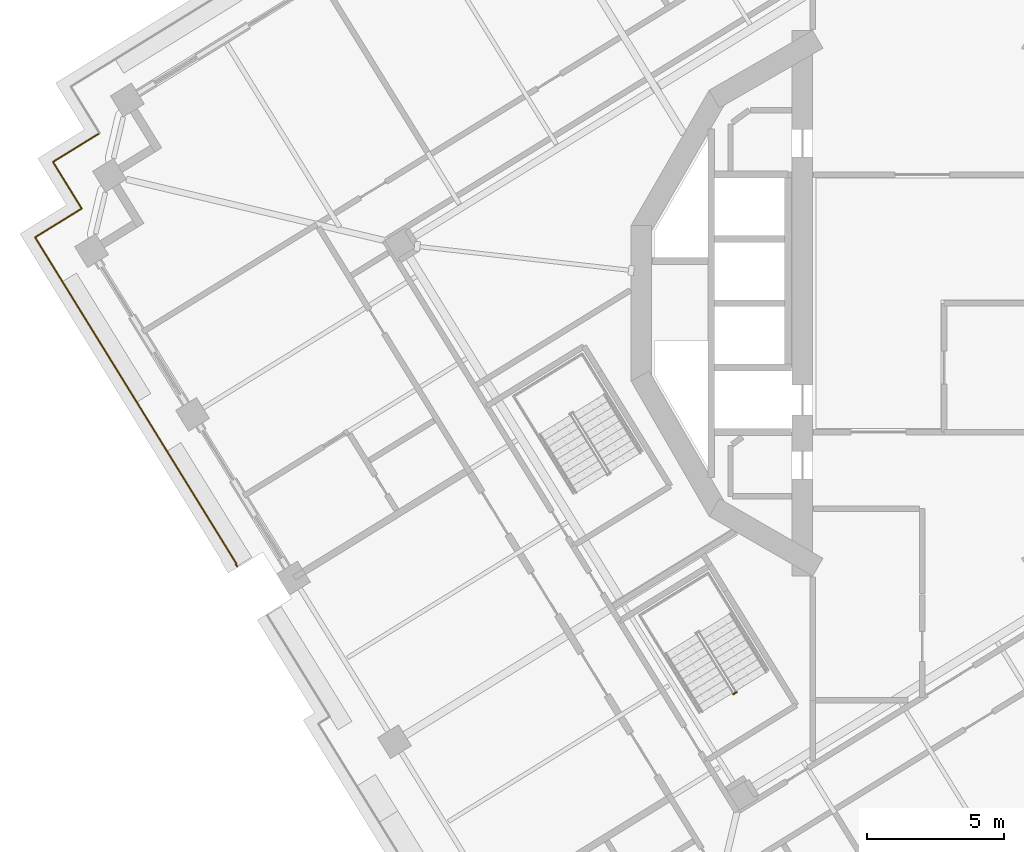
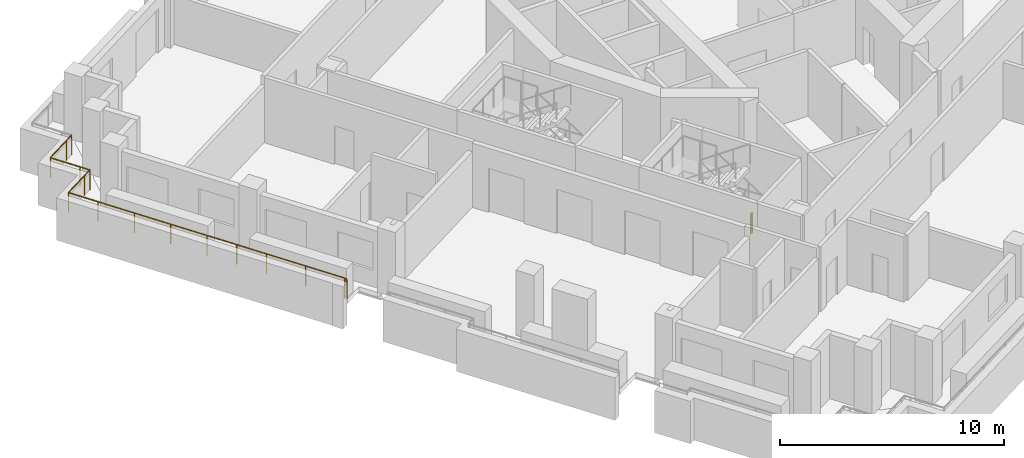
# One storey, part 13 of 20: 2 railings.
"""IFC4 building model written with IfcOpenShell, lengths in metres."""

import ifcopenshell
import ifcopenshell.guid

model = None  # the IFC model being written
_history = None  # IfcOwnerHistory: only IFC2X3 demands one
_inside = {}  # id of a spatial element -> (the spatial element, [elements in it])
_under = {}  # id of a project, library or spatial element -> (it, [spatial elements below it])
_declared = {}  # id of a project -> (the project, [libraries it declares])
_typed = {}  # id of a type object -> (the type object, [elements of that type])
_made_of = {}  # id of a material, layer set ... -> (it, [elements and type objects made of it])


def new_model(schema):
    """Start an empty IFC model of exactly this schema.

    Asked for "IFC4X3", IfcOpenShell would pick the latest addendum, in which some entities
    have other attributes; the version numbers below select the first issue.
    IFC2X3 requires an IfcOwnerHistory on every rooted entity: one is made here for all.
    """
    global model, _history
    if schema == "IFC4X3":
        model = ifcopenshell.file(schema_version=(4, 3, 0, 0))
    else:
        model = ifcopenshell.file(schema=schema)
    _inside.clear()
    _under.clear()
    _declared.clear()
    _typed.clear()
    _made_of.clear()
    _history = None
    if model.schema == "IFC2X3":
        org = make("IfcOrganization", Name="unknown")
        user = make(
            "IfcPersonAndOrganization",
            ThePerson=make("IfcPerson", FamilyName="unknown"),
            TheOrganization=org,
        )
        app = make(
            "IfcApplication",
            ApplicationDeveloper=org,
            Version="unknown",
            ApplicationFullName="unknown",
            ApplicationIdentifier="unknown",
        )
        _history = make(
            "IfcOwnerHistory",
            OwningUser=user,
            OwningApplication=app,
            ChangeAction="ADDED",
            CreationDate=0,
        )
    return model


def make(cls, **values):
    """One entity of the class cls with the attributes given. An attribute that is None is left unset."""
    return model.create_entity(
        cls, **{name: value for name, value in values.items() if value is not None}
    )


def rooted(cls, **values):
    """An entity with a GlobalId (a new one), such as an element, a storey or a relation."""
    return make(cls, GlobalId=ifcopenshell.guid.new(), OwnerHistory=_history, **values)


def si_unit(unit_type, name, prefix=None):
    """IfcSIUnit, for example si_unit("LENGTHUNIT", "METRE", prefix="MILLI")."""
    return make("IfcSIUnit", UnitType=unit_type, Prefix=prefix, Name=name)


def assignment(units):
    """IfcUnitAssignment: the units of a project."""
    return None if units is None else make("IfcUnitAssignment", Units=units)


def point(xyz):
    """IfcCartesianPoint."""
    return None if xyz is None else make("IfcCartesianPoint", Coordinates=xyz)


def direction(xyz):
    """IfcDirection."""
    return None if xyz is None else make("IfcDirection", DirectionRatios=xyz)


def frame(location, z_axis=None, x_axis=None):
    """IfcAxis2Placement3D, a coordinate frame: its origin and axes. An axis left out is left unset."""
    return make(
        "IfcAxis2Placement3D",
        Location=point(location),
        Axis=direction(z_axis),
        RefDirection=direction(x_axis),
    )


def frame_2d(location, x_axis=None):
    """IfcAxis2Placement2D, a coordinate frame in the plane: its origin and x axis."""
    return make(
        "IfcAxis2Placement2D", Location=point(location), RefDirection=direction(x_axis)
    )


def origin():
    """The frame at (0, 0, 0) with its axes left unset."""
    return frame((0.0, 0.0, 0.0))


def origin_2d():
    """The frame at (0, 0) in the plane with its x axis left unset."""
    return frame_2d((0.0, 0.0))


def place(relative_to, where):
    """IfcLocalPlacement: puts the frame where relative to a parent placement (None: the world)."""
    return make(
        "IfcLocalPlacement", PlacementRelTo=relative_to, RelativePlacement=where
    )


def context(
    kind, dimensions, precision=None, world=None, true_north=None, identifier=None
):
    """IfcGeometricRepresentationContext, for example the 3D "Model" context."""
    return make(
        "IfcGeometricRepresentationContext",
        ContextIdentifier=identifier,
        ContextType=kind,
        CoordinateSpaceDimension=dimensions,
        Precision=precision,
        WorldCoordinateSystem=world,
        TrueNorth=true_north,
    )


def subcontext(parent, identifier, kind, view, scale=None):
    """IfcGeometricRepresentationSubContext, for example "Body" below "Model"."""
    return make(
        "IfcGeometricRepresentationSubContext",
        ContextIdentifier=identifier,
        ContextType=kind,
        ParentContext=parent,
        TargetScale=scale,
        TargetView=view,
    )


def project(units=None, contexts=None):
    """IfcProject with its units and contexts."""
    return rooted(
        "IfcProject",
        Name="project",
        RepresentationContexts=contexts,
        UnitsInContext=assignment(units),
    )


def spatial(cls, under=None, at=None, **own):
    """A site, building, storey or space (cls), placed at a placement, below another one or the project."""
    s = rooted(cls, ObjectPlacement=at, **own)
    if under is not None:
        _under.setdefault(under.id(), (under, []))[1].append(s)
    return s


def profile(cls, at=None, kind="AREA", **sizes):
    """A parametric profile (cls). Its sizes go by their IFC names, for example OverallWidth=200.0."""
    return make(cls, ProfileType=kind, Position=at, **sizes)


def circle(**sizes):
    """IfcCircleProfileDef."""
    return profile("IfcCircleProfileDef", **sizes)


def extrude(swept, where, along, depth):
    """IfcExtrudedAreaSolid: the profile swept, set in the frame where, extruded along a direction by depth."""
    return make(
        "IfcExtrudedAreaSolid",
        SweptArea=swept,
        Position=where,
        ExtrudedDirection=direction(along),
        Depth=depth,
    )


def shape(context_of_items, identifier, shape_type, items):
    """IfcShapeRepresentation: the items that make up one representation, for example the "Body"."""
    return make(
        "IfcShapeRepresentation",
        ContextOfItems=context_of_items,
        RepresentationIdentifier=identifier,
        RepresentationType=shape_type,
        Items=items,
    )


def material(Name=None, Category=None):
    """IfcMaterial."""
    return make("IfcMaterial", Name=Name, Category=Category)


def made_of(thing, what):
    """Note that an element or type object is made of a material, layer set ...; save() writes the relation."""
    if what is not None:
        _made_of.setdefault(what.id(), (what, []))[1].append(thing)
    return thing


def type_object(cls, material=None, **own):
    """A type object (cls), such as IfcWallType, which elements share."""
    return made_of(rooted(cls, **own), material)


def element(
    cls,
    number,
    at=None,
    inside=None,
    cuts=None,
    type_object=None,
    material=None,
    context=None,
    identifier="Body",
    shape_type=None,
    held_by="IfcProductDefinitionShape",
    body=None,
    shapes=None,
    **own,
):
    """One element of the class cls, such as IfcWall. Its Tag is "e" and its number.

    at: its placement. inside: the storey or other place that contains it. cuts: it is an
    opening in that element (IfcRelVoidsElement). A single representation is given by context,
    identifier, shape_type and body (its items); several are given by shapes. held_by: the class
    of the entity that holds the representations. save() writes the other relations.
    """
    e = rooted(cls, Tag="e%d" % number, ObjectPlacement=at, **own)
    if body is not None:
        shapes = [shape(context, identifier, shape_type, body)]
    if shapes is not None:
        e.Representation = make(held_by, Representations=shapes)
    if inside is not None:
        _inside.setdefault(inside.id(), (inside, []))[1].append(e)
    if cuts is not None:
        rooted(
            "IfcRelVoidsElement", RelatingBuildingElement=cuts, RelatedOpeningElement=e
        )
    if type_object is not None:
        _typed.setdefault(type_object.id(), (type_object, []))[1].append(e)
    return made_of(e, material)


def aggregate(whole, parts):
    """IfcRelAggregates: a whole, such as a stair, and the parts it consists of."""
    return rooted("IfcRelAggregates", RelatingObject=whole, RelatedObjects=parts)


def save(model, path):
    """Write the relations noted so far, then the file.

    IfcRelAggregates (storeys below a building ...), IfcRelContainedInSpatialStructure (elements
    in a storey), IfcRelDefinesByType, IfcRelAssociatesMaterial and IfcRelDeclares: one each for
    every whole, place, type object, material and project.
    """
    for whole, parts in _under.values():
        aggregate(whole, parts)
    for where, things in _inside.values():
        rooted(
            "IfcRelContainedInSpatialStructure",
            RelatedElements=things,
            RelatingStructure=where,
        )
    for kind, things in _typed.values():
        rooted("IfcRelDefinesByType", RelatedObjects=things, RelatingType=kind)
    for what, things in _made_of.values():
        rooted("IfcRelAssociatesMaterial", RelatedObjects=things, RelatingMaterial=what)
    for by, libraries in _declared.values():
        rooted("IfcRelDeclares", RelatingContext=by, RelatedDefinitions=libraries)
    model.write(path)


model = new_model("IFC4")

# Units and contexts
model_context = context("Model", 3, precision=1e-05, world=origin(), true_north=direction((0.0, 1.0)))
body_context = subcontext(model_context, "Body", "Model", "MODEL_VIEW")
ifc_project = project(units=[si_unit("LENGTHUNIT", "METRE"), si_unit("AREAUNIT", "SQUARE_METRE"), si_unit("VOLUMEUNIT", "CUBIC_METRE"), si_unit("PLANEANGLEUNIT", "RADIAN"), si_unit("MASSUNIT", "GRAM", prefix="KILO")], contexts=[model_context])

# Site, building, storey
site_placement = place(None, origin())
site = spatial("IfcSite", under=ifc_project, at=site_placement, CompositionType="ELEMENT")
building_placement = place(site_placement, origin())
building = spatial("IfcBuilding", under=site, at=building_placement, Name="Cantera Rosa Tower", CompositionType="ELEMENT")
storey_placement = place(building_placement, frame((0.0, 0.0, 159.0)))
storey = spatial("IfcBuildingStorey", under=building, at=storey_placement, Name="L34", CompositionType="ELEMENT", Elevation=159.0)

# Railings
ifc_material_1 = material(Name="Stainless steel and laminated glass", Category="steel")
railing_type_1 = type_object("IfcRailingType", Name="GUARD 1100", PredefinedType="BALUSTRADE", material=ifc_material_1)
railing_1_placement = place(storey_placement, frame((-25.004150390625, -9.61865234375, 0.0)))
element("IfcRailing", 1, at=railing_1_placement, inside=storey, type_object=railing_type_1, Name="GUARD L34-5", PredefinedType="BALUSTRADE", context=body_context, shape_type="SweptSolid", body=[
    extrude(circle(Radius=0.030029296875, at=origin_2d()), frame((0.0, 0.0, 1.070068359375), z_axis=(-0.524771895301, 0.851242890074, 0.0), x_axis=(-0.851242890074, -0.524771895301, 0.0)), (0.0, 0.0, 1.0), 0.10107421875),
    extrude(circle(Radius=0.030029296875, at=origin_2d()), frame((-0.052978515625, 0.0859375, 1.070068359375), z_axis=(0.849761711822, 0.52716698789, 0.0), x_axis=(-0.52716698789, 0.849761711822, 0.0)), (0.0, 0.0, 1.0), 0.031005859375),
    extrude(circle(Radius=0.030029296875, at=origin_2d()), frame((-0.026611328125, 0.102294921875, 1.070068359375), z_axis=(-0.525005464251, 0.851098855896, 0.0), x_axis=(-0.851098855896, -0.525005464251, 0.0)), (0.0, 0.0, 1.0), 3.989013671875),
    extrude(circle(Radius=0.030029296875, at=origin_2d()), frame((-2.120849609375, 3.497314453125, 1.070068359375), z_axis=(-0.524964362564, 0.851124208349, 0.0), x_axis=(-0.851124208349, -0.524964362564, 0.0)), (0.0, 0.0, 1.0), 3.0),
    extrude(circle(Radius=0.030029296875, at=origin_2d()), frame((-3.69580078125, 6.05078125, 1.070068359375), z_axis=(-0.524968277683, 0.851121793533, 0.0), x_axis=(-0.851121793533, -0.524968277683, 0.0)), (0.0, 0.0, 1.0), 5.519775390625),
    extrude(circle(Radius=0.030029296875, at=origin_2d()), frame((-6.593505859375, 10.748779296875, 1.070068359375), z_axis=(-0.524986950369, 0.851110276017, 0.0), x_axis=(-0.851110276017, -0.524986950369, 0.0)), (0.0, 0.0, 1.0), 1.500244140625),
    extrude(circle(Radius=0.030029296875, at=origin_2d()), frame((-7.381103515625, 12.025634765625, 1.070068359375), z_axis=(0.85118298814, 0.524869051004, 0.0), x_axis=(-0.524869051004, 0.85118298814, 0.0)), (0.0, 0.0, 1.0), 1.5),
    extrude(circle(Radius=0.030029296875, at=origin_2d()), frame((-6.104248046875, 12.81298828125, 1.070068359375), z_axis=(0.851138143202, 0.52494176933, 0.0), x_axis=(-0.52494176933, 0.851138143202, 0.0)), (0.0, 0.0, 1.0), 0.5),
    extrude(circle(Radius=0.030029296875, at=origin_2d()), frame((-5.6787109375, 13.075439453125, 1.070068359375), z_axis=(-0.52494176933, 0.851138143202, 0.0), x_axis=(-0.851138143202, -0.52494176933, 0.0)), (0.0, 0.0, 1.0), 0.5),
    extrude(circle(Radius=0.030029296875, at=origin_2d()), frame((-5.941162109375, 13.5009765625, 1.070068359375), z_axis=(-0.524986950369, 0.851110276017, 0.0), x_axis=(-0.851110276017, -0.524986950369, 0.0)), (0.0, 0.0, 1.0), 1.500244140625),
    extrude(circle(Radius=0.030029296875, at=origin_2d()), frame((-6.728759765625, 14.77783203125, 1.070068359375), z_axis=(0.851138143202, 0.52494176933, 0.0), x_axis=(-0.52494176933, 0.851138143202, 0.0)), (0.0, 0.0, 1.0), 1.5),
    extrude(circle(Radius=0.030029296875, at=origin_2d()), frame((-5.4521484375, 15.565185546875, 1.070068359375), z_axis=(0.851138143202, 0.52494176933, 0.0), x_axis=(-0.52494176933, 0.851138143202, 0.0)), (0.0, 0.0, 1.0), 0.5),
    extrude(circle(Radius=0.02490234375, at=origin_2d()), origin(), (0.0, 0.0, 1.0), 1.0400390625),
    extrude(circle(Radius=0.02490234375, at=origin_2d()), frame((-0.052978515625, 0.0859375, 0.0)), (0.0, 0.0, 1.0), 1.0400390625),
    extrude(circle(Radius=0.02490234375, at=origin_2d()), frame((-0.026611328125, 0.102294921875, 0.0)), (0.0, 0.0, 1.0), 1.0400390625),
    extrude(circle(Radius=0.02490234375, at=origin_2d()), frame((-1.07373046875, 1.7998046875, 0.0)), (0.0, 0.0, 1.0), 1.0400390625),
    extrude(circle(Radius=0.02490234375, at=origin_2d()), frame((-2.120849609375, 3.497314453125, 0.0)), (0.0, 0.0, 1.0), 1.0400390625),
    extrude(circle(Radius=0.02490234375, at=origin_2d()), frame((-2.908203125, 4.77392578125, 0.0)), (0.0, 0.0, 1.0), 1.0400390625),
    extrude(circle(Radius=0.02490234375, at=origin_2d()), frame((-3.69580078125, 6.05078125, 0.0)), (0.0, 0.0, 1.0), 1.0400390625),
    extrude(circle(Radius=0.02490234375, at=origin_2d()), frame((-4.66162109375, 7.61669921875, 0.0)), (0.0, 0.0, 1.0), 1.0400390625),
    extrude(circle(Radius=0.02490234375, at=origin_2d()), frame((-5.627685546875, 9.182861328125, 0.0)), (0.0, 0.0, 1.0), 1.0400390625),
    extrude(circle(Radius=0.02490234375, at=origin_2d()), frame((-6.593505859375, 10.748779296875, 0.0)), (0.0, 0.0, 1.0), 1.0400390625),
    extrude(circle(Radius=0.02490234375, at=origin_2d()), frame((-7.381103515625, 12.025634765625, 0.0)), (0.0, 0.0, 1.0), 1.0400390625),
    extrude(circle(Radius=0.02490234375, at=origin_2d()), frame((-6.104248046875, 12.81298828125, 0.0)), (0.0, 0.0, 1.0), 1.0400390625),
    extrude(circle(Radius=0.02490234375, at=origin_2d()), frame((-5.6787109375, 13.075439453125, 0.0)), (0.0, 0.0, 1.0), 1.0400390625),
    extrude(circle(Radius=0.02490234375, at=origin_2d()), frame((-5.941162109375, 13.5009765625, 0.0)), (0.0, 0.0, 1.0), 1.0400390625),
    extrude(circle(Radius=0.02490234375, at=origin_2d()), frame((-6.728759765625, 14.77783203125, 0.0)), (0.0, 0.0, 1.0), 1.0400390625),
    extrude(circle(Radius=0.02490234375, at=origin_2d()), frame((-5.4521484375, 15.565185546875, 0.0)), (0.0, 0.0, 1.0), 1.0400390625),
    extrude(circle(Radius=0.02490234375, at=origin_2d()), frame((-5.026611328125, 15.82763671875, 0.0)), (0.0, 0.0, 1.0), 1.0400390625),
])
ifc_material_2 = material(Name="Steel S355J2 (EN 10025-2)", Category="steel")
railing_type_2 = type_object("IfcRailingType", Name="STAIR GUARD 1100", PredefinedType="GUARDRAIL", material=ifc_material_2)
railing_2_placement = place(storey_placement, frame((-6.77490234375, -14.19482421875, 0.0)))
element("IfcRailing", 2, at=railing_2_placement, inside=storey, type_object=railing_type_2, Name="L34 ST-33 stair guard 3", PredefinedType="GUARDRAIL", context=body_context, shape_type="SweptSolid", body=[
    extrude(circle(Radius=0.02392578125, at=origin_2d()), frame((0.0, 0.0, 1.076171875), z_axis=(-0.851546489876, -0.524279100842, 0.0), x_axis=(0.524279100842, -0.851546489876, 0.0)), (0.0, 0.0, 1.0), 0.14990234375),
    extrude(circle(Radius=0.02099609375, at=origin_2d()), origin(), (0.0, 0.0, 1.0), 1.052001953125),
    extrude(circle(Radius=0.02099609375, at=origin_2d()), frame((-0.127685546875, -0.07861328125, 0.0)), (0.0, 0.0, 1.0), 1.052001953125),
])

save(model, "model.ifc")
